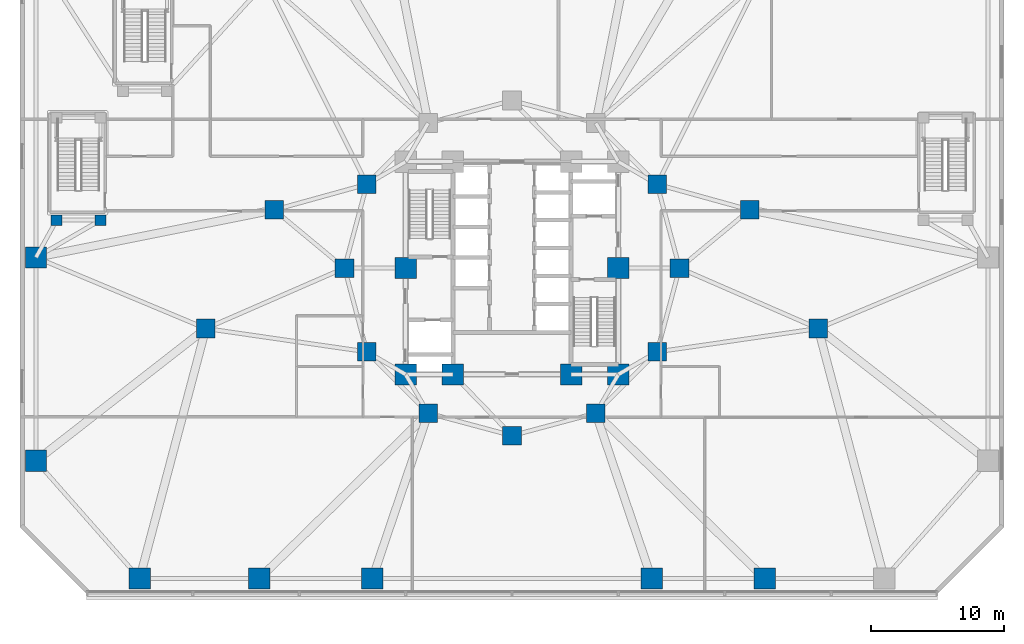
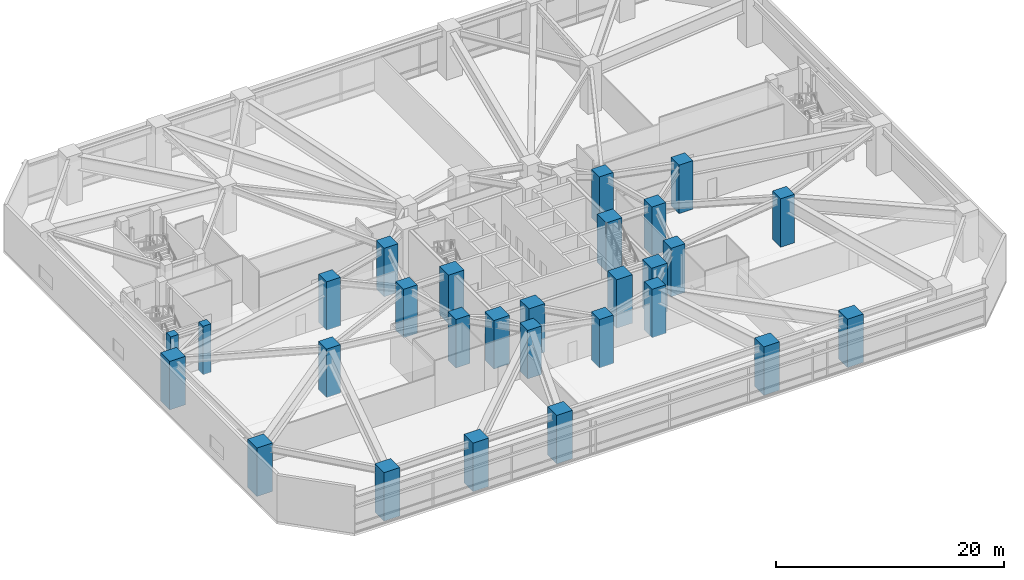
# One storey, part 1 of 27: 28 columns.
"""IFC4 building model written with IfcOpenShell, lengths in metres."""

from ifc_helpers import new_model, si_unit, direction, frame, origin, origin_2d, place, context, subcontext, project, spatial, rectangle, extrude, material, material_profile, profile_set, type_object, element, save


model = new_model("IFC4")

# Units and contexts
model_context = context("Model", 3, precision=1e-05, world=origin(), true_north=direction((0.0, 1.0)))
body_context = subcontext(model_context, "Body", "Model", "MODEL_VIEW")
ifc_project = project(units=[si_unit("LENGTHUNIT", "METRE"), si_unit("AREAUNIT", "SQUARE_METRE"), si_unit("VOLUMEUNIT", "CUBIC_METRE"), si_unit("PLANEANGLEUNIT", "RADIAN"), si_unit("MASSUNIT", "GRAM", prefix="KILO")], contexts=[model_context])

# Site, building, storey
site_placement = place(None, origin())
site = spatial("IfcSite", under=ifc_project, at=site_placement, CompositionType="ELEMENT")
building_placement = place(site_placement, origin())
building = spatial("IfcBuilding", under=site, at=building_placement, Name="Terralouvre Media Tower", CompositionType="ELEMENT")
storey_placement = place(building_placement, frame((0.0, 0.0, 15.60009765625)))
storey = spatial("IfcBuildingStorey", under=building, at=storey_placement, Name="L03", CompositionType="ELEMENT", Elevation=15.60009765625)

# Columns
ifc_material_1 = material(Name="Concrete C60/75", Category="concrete")
ifc_material_profile_1 = material_profile(ifc_material_1, rectangle(XDim=1.39990234375, YDim=1.39990234375, at=origin_2d()), Name="RC 1400x1400")
ifc_profile_set_1 = profile_set([ifc_material_profile_1], Name="Concrete C60/75")
column_type_1 = type_object("IfcColumnType", Name="Structural Column C-RC1400 (RC 1400x1400)", PredefinedType="COLUMN", material=ifc_profile_set_1)
for number, where, z_axis, x_axis, name in (
    (1, (12.60009765625, 0.0, 0.0), (0.0, 0.0, 1.0), (1.0, 0.0, 0.0), "L03 Mega-Frame Column MC01"),
    (2, (10.911865234375, 6.300048828125, 0.0), (0.0, 0.0, 1.0), (1.0, 0.0, 0.0), "L03 Mega-Frame Column MC02"),
    (3, (-10.911865234375, 6.300048828125, 0.0), (0.0, 0.0, 1.0), (1.0, 0.0, 0.0), "L03 Mega-Frame Column MC06"),
    (4, (-12.60009765625, 0.0, 0.0), (0.0, 0.0, 1.0), (1.0, 0.0, 0.0), "L03 Mega-Frame Column MC07"),
    (5, (-10.911865234375, -6.300048828125, 0.0), (0.0, 0.0, 1.0), (1.0, 0.0, 0.0), "L03 Mega-Frame Column MC08"),
    (6, (-6.300048828125, -10.911865234375, 0.0), (0.0, 0.0, 1.0), (1.0, 0.0, 0.0), "L03 Mega-Frame Column MC09"),
    (7, (0.0, -12.60009765625, 0.0), (0.0, 0.0, 1.0), (1.0, 0.0, 0.0), "L03 Mega-Frame Column MC10"),
    (8, (6.300048828125, -10.911865234375, 0.0), (0.0, 0.0, 1.0), (1.0, 0.0, 0.0), "L03 Mega-Frame Column MC11"),
    (9, (10.911865234375, -6.300048828125, 0.0), (0.0, 0.0, 1.0), (1.0, 0.0, 0.0), "L03 Mega-Frame Column MC12"),
    (10, (23.02490234375, -4.546630859375, 0.0), (0.0, 0.0, 1.0), (1.0, 0.0, 0.0), "L03 Podium Transfer Column PM21"),
    (11, (17.874755859375, 4.373291015625, 0.0), (0.0, 0.0, 1.0), (1.0, 0.0, 0.0), "L03 Podium Transfer Column PM22"),
    (12, (-17.874755859375, 4.373291015625, 0.0), (0.0, 0.0, 1.0), (1.0, 0.0, 0.0), "L03 Podium Transfer Column PM23"),
    (13, (-23.02490234375, -4.546630859375, 0.0), (0.0, 0.0, 1.0), (1.0, 0.0, 0.0), "L03 Podium Transfer Column PM24"),
):
    element("IfcColumn", number, at=place(storey_placement, frame(where, z_axis=z_axis, x_axis=x_axis)), inside=storey, type_object=column_type_1, Name=name, PredefinedType="COLUMN", context=body_context, shape_type="SweptSolid", body=[
        extrude(rectangle(XDim=1.39990234375, YDim=1.39990234375, at=origin_2d()), origin(), (0.0, 0.0, 1.0), 5.199951171875),
    ])
ifc_material_2 = material(Name="Concrete C60/75", Category="concrete")
ifc_material_profile_2 = material_profile(ifc_material_2, rectangle(XDim=1.60009765625, YDim=1.60009765625, at=origin_2d()), Name="RC 1600x1600")
ifc_profile_set_2 = profile_set([ifc_material_profile_2], Name="Concrete C60/75")
column_type_2 = type_object("IfcColumnType", Name="Structural Column C-RC1600 (RC 1600x1600)", PredefinedType="COLUMN", material=ifc_profile_set_2)
for number, where, z_axis, x_axis, name in (
    (14, (-8.0, -8.0, 0.0), (0.0, 0.0, 1.0), (1.0, 0.0, 0.0), "L03 Core Pilaster Column CP1"),
    (15, (-4.449951171875, -8.0, 0.0), (0.0, 0.0, 1.0), (1.0, 0.0, 0.0), "L03 Core Pilaster Column CP2"),
    (16, (4.449951171875, -8.0, 0.0), (0.0, 0.0, 1.0), (1.0, 0.0, 0.0), "L03 Core Pilaster Column CP10"),
    (17, (8.0, -8.0, 0.0), (0.0, 0.0, 1.0), (1.0, 0.0, 0.0), "L03 Core Pilaster Column CP3"),
    (18, (8.0, 0.0, 0.0), (0.0, 0.0, 1.0), (1.0, 0.0, 0.0), "L03 Core Pilaster Column CP4"),
    (19, (-8.0, 0.0, 0.0), (0.0, 0.0, 1.0), (1.0, 0.0, 0.0), "L03 Core Pilaster Column CP8"),
    (20, (-28.0, -23.35009765625, 0.0), (0.0, 0.0, 1.0), (1.0, 0.0, 0.0), "L03 Perimeter Mega-Column PM01"),
    (21, (-19.0, -23.35009765625, 0.0), (0.0, 0.0, 1.0), (1.0, 0.0, 0.0), "L03 Perimeter Mega-Column PM02"),
    (22, (-10.5, -23.35009765625, 0.0), (0.0, 0.0, 1.0), (1.0, 0.0, 0.0), "L03 Perimeter Mega-Column PM03"),
    (23, (10.5, -23.35009765625, 0.0), (0.0, 0.0, 1.0), (1.0, 0.0, 0.0), "L03 Perimeter Mega-Column PM04"),
    (24, (19.0, -23.35009765625, 0.0), (0.0, 0.0, 1.0), (1.0, 0.0, 0.0), "L03 Perimeter Mega-Column PM05"),
    (25, (-35.800048828125, 0.800048828125, 0.0), (0.0, 0.0, 1.0), (1.0, 0.0, 0.0), "L03 Perimeter Mega-Column PM17"),
    (26, (-35.800048828125, -14.5, 0.0), (0.0, 0.0, 1.0), (1.0, 0.0, 0.0), "L03 Perimeter Mega-Column PM18"),
):
    element("IfcColumn", number, at=place(storey_placement, frame(where, z_axis=z_axis, x_axis=x_axis)), inside=storey, type_object=column_type_2, Name=name, PredefinedType="COLUMN", context=body_context, shape_type="SweptSolid", body=[
        extrude(rectangle(XDim=1.60009765625, YDim=1.60009765625, at=origin_2d()), origin(), (0.0, 0.0, 1.0), 5.199951171875),
    ])
ifc_material_3 = material(Name="Concrete C50/60", Category="concrete")
ifc_material_profile_3 = material_profile(ifc_material_3, rectangle(XDim=0.800048828125, YDim=0.800048828125, at=origin_2d()), Name="RC 800x800")
ifc_profile_set_3 = profile_set([ifc_material_profile_3], Name="Concrete C50/60")
column_type_3 = type_object("IfcColumnType", Name="Structural Column C-RC800 (RC 800x800)", PredefinedType="COLUMN", material=ifc_profile_set_3)
for number, where, z_axis, x_axis, name in (
    (27, (-34.25, 3.60009765625, 0.0), (0.0, 0.0, 1.0), (1.0, 0.0, 0.0), "L03 Stair Pavilion Support Column ST3C1"),
    (28, (-30.949951171875, 3.60009765625, 0.0), (0.0, 0.0, 1.0), (1.0, 0.0, 0.0), "L03 Stair Pavilion Support Column ST3C2"),
):
    element("IfcColumn", number, at=place(storey_placement, frame(where, z_axis=z_axis, x_axis=x_axis)), inside=storey, type_object=column_type_3, Name=name, PredefinedType="COLUMN", context=body_context, shape_type="SweptSolid", body=[
        extrude(rectangle(XDim=0.800048828125, YDim=0.800048828125, at=origin_2d()), origin(), (0.0, 0.0, 1.0), 5.199951171875),
    ])

save(model, "model.ifc")
